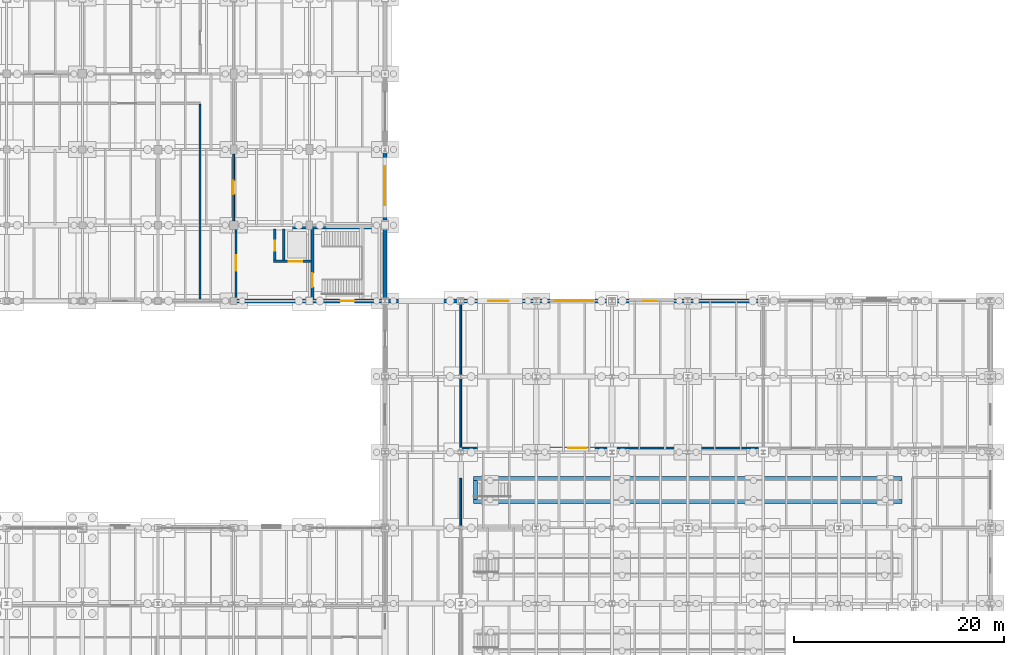
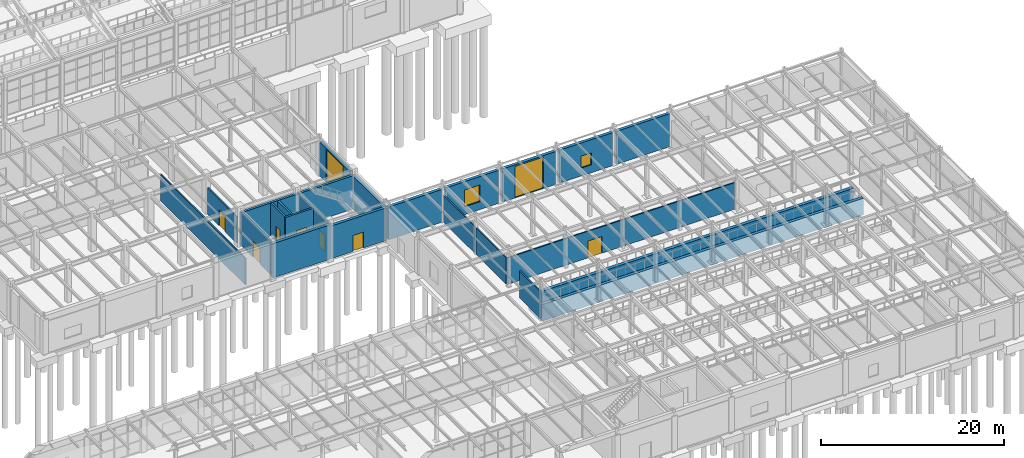
# One storey, part 272 of 293: 24 walls, 9 doors, 2 windows, 11 openings.
"""IFC4 building model written with IfcOpenShell, lengths in metres."""

from ifc_helpers import new_model, si_unit, direction, frame, frame_2d, origin, place, context, subcontext, project, spatial, rectangle, extrude, material, layer, layer_set, type_object, element, fill, save


model = new_model("IFC4")

# Units and contexts
model_context = context("Model", 3, precision=1e-05, world=origin(), true_north=direction((0.0, 1.0)))
body_context = subcontext(model_context, "Body", "Model", "MODEL_VIEW")
ifc_project = project(units=[si_unit("LENGTHUNIT", "METRE"), si_unit("AREAUNIT", "SQUARE_METRE"), si_unit("VOLUMEUNIT", "CUBIC_METRE"), si_unit("PLANEANGLEUNIT", "RADIAN"), si_unit("MASSUNIT", "GRAM", prefix="KILO")], contexts=[model_context])

# Site, building, storey
site_placement = place(None, origin())
site = spatial("IfcSite", under=ifc_project, at=site_placement, CompositionType="ELEMENT")
building_placement = place(site_placement, origin())
building = spatial("IfcBuilding", under=site, at=building_placement, Name="Kemerveld Promenade Tramway Depot", CompositionType="ELEMENT")
storey_placement = place(building_placement, origin())
storey = spatial("IfcBuildingStorey", under=building, at=storey_placement, Name="L00", CompositionType="ELEMENT", Elevation=0.0)

# Wall, opening, door
ifc_material_1 = material(Name="Concrete C40/50", Category="concrete")
ifc_layer_1 = layer(ifc_material_1, 0.25)
ifc_layer_set_1 = layer_set([ifc_layer_1], Name="WL-CORE-250")
wall_type_1 = type_object("IfcWallType", Name="WL-CORE-250", PredefinedType="SHEAR", material=ifc_layer_set_1)
wall_1_placement = place(storey_placement, frame((151.5, 50.580078125, 0.0), z_axis=(0.0, 0.0, 1.0), x_axis=(0.0, 1.0, 0.0)))
wall_1 = element("IfcWall", 1, at=wall_1_placement, inside=storey, type_object=wall_type_1, Name="WL-C6-L00-SDIV", PredefinedType="SHEAR", context=body_context, shape_type="SweptSolid", body=[
    extrude(rectangle(XDim=6.669921875, YDim=0.25, at=frame_2d((3.3349609375, 0.0))), origin(), (0.0, 0.0, 1.0), 4.449951171875),
])
opening_1_placement = place(wall_1_placement, frame((1.1201171875, 0.0, 0.0)))
opening_1 = element("IfcOpeningElement", 2, at=opening_1_placement, cuts=wall_1, Name="Opening D-577", PredefinedType="OPENING", context=body_context, shape_type="SweptSolid", body=[
    extrude(rectangle(XDim=1.35009765625, YDim=2.14990234375, at=frame_2d((0.675048828125, 1.074951171875))), frame((0.0, 0.135009765625, 0.0), z_axis=(0.0, -1.0, 0.0), x_axis=(1.0, 0.0, 0.0)), (0.0, 0.0, 1.0), 0.27001953125),
])
ifc_material_2 = material(Name="Galvanised steel fire stair door", Category="steel")
door_type_1 = type_object("IfcDoorType", Name="DR-FD120", OperationType="NOTDEFINED", PredefinedType="DOOR", material=ifc_material_2)
door_1_placement = place(opening_1_placement, origin())
door_1 = element("IfcDoor", 3, at=door_1_placement, inside=storey, type_object=door_type_1, Name="DR-C6-L00-STAIR", OperationType="SINGLE_SWING_LEFT", OverallHeight=2.14990234375, OverallWidth=1.35009765625, PredefinedType="DOOR", context=body_context, shape_type="SweptSolid", body=[
    extrude(rectangle(XDim=1.35009765625, YDim=2.14990234375, at=frame_2d((0.675048828125, 1.074951171875))), frame((0.0, 0.02490234375, 0.0), z_axis=(0.0, -1.0, 0.0), x_axis=(1.0, 0.0, 0.0)), (0.0, 0.0, 1.0), 0.050048828125),
])
fill(opening_1, door_1)

wall_2_placement = place(storey_placement, frame((147.794921875, 54.159912109375, 0.0), z_axis=(0.0, 0.0, 1.0), x_axis=(1.0, 0.0, 0.0)))
wall_2 = element("IfcWall", 4, at=wall_2_placement, inside=storey, type_object=wall_type_1, Name="WL-C6-L00-LSHS", PredefinedType="SHEAR", context=body_context, shape_type="SweptSolid", body=[
    extrude(rectangle(XDim=3.580078125, YDim=0.25, at=frame_2d((1.7900390625, 0.0))), origin(), (0.0, 0.0, 1.0), 4.449951171875),
])
opening_2_placement = place(wall_2_placement, frame((1.425048828125, 0.0, 0.0)))
opening_2 = element("IfcOpeningElement", 5, at=opening_2_placement, cuts=wall_2, Name="Opening LD-578", PredefinedType="OPENING", context=body_context, shape_type="SweptSolid", body=[
    extrude(rectangle(XDim=1.300048828125, YDim=2.199951171875, at=frame_2d((0.64990234375, 1.10009765625))), frame((0.0, 0.135009765625, 0.0), z_axis=(0.0, -1.0, 0.0), x_axis=(1.0, 0.0, 0.0)), (0.0, 0.0, 1.0), 0.27001953125),
])
ifc_material_3 = material(Name="Heavy-duty goods lift sliding landing door")
door_type_2 = type_object("IfcDoorType", Name="DR-LD02", OperationType="SLIDING_TO_LEFT", PredefinedType="DOOR", material=ifc_material_3)
door_2_placement = place(opening_2_placement, origin())
door_2 = element("IfcDoor", 6, at=door_2_placement, inside=storey, type_object=door_type_2, Name="DR-C6-L00-LIFT", OperationType="SLIDING_TO_LEFT", OverallHeight=2.199951171875, OverallWidth=1.300048828125, PredefinedType="DOOR", context=body_context, shape_type="SweptSolid", body=[
    extrude(rectangle(XDim=1.300048828125, YDim=2.199951171875, at=frame_2d((0.64990234375, 1.10009765625))), frame((0.0, 0.02490234375, 0.0), z_axis=(0.0, -1.0, 0.0), x_axis=(1.0, 0.0, 0.0)), (0.0, 0.0, 1.0), 0.050048828125),
])
fill(opening_2, door_2)

# Wall
wall_3_placement = place(storey_placement, frame((148.75, 54.284912109375, 0.0), z_axis=(0.0, 0.0, 1.0), x_axis=(0.0, 1.0, 0.0)))
element("IfcWall", 7, at=wall_3_placement, inside=storey, type_object=wall_type_1, Name="WL-C6-L00-LSHM", PredefinedType="SHEAR", context=body_context, shape_type="SweptSolid", body=[
    extrude(rectangle(XDim=2.965087890625, YDim=0.25, at=frame_2d((1.482421875, 0.0))), origin(), (0.0, 0.0, 1.0), 4.449951171875),
])

# Wall, opening, door
wall_4_placement = place(storey_placement, frame((147.919921875, 54.284912109375, 0.0), z_axis=(0.0, 0.0, 1.0), x_axis=(0.0, 1.0, 0.0)))
wall_4 = element("IfcWall", 8, at=wall_4_placement, inside=storey, type_object=wall_type_1, Name="WL-C6-L00-LSHE", PredefinedType="SHEAR", context=body_context, shape_type="SweptSolid", body=[
    extrude(rectangle(XDim=2.965087890625, YDim=0.25, at=frame_2d((1.482421875, 0.0))), origin(), (0.0, 0.0, 1.0), 4.449951171875),
])
opening_3_placement = place(wall_4_placement, frame((0.89990234375, 0.0, 0.0)))
opening_3 = element("IfcOpeningElement", 9, at=opening_3_placement, cuts=wall_4, Name="Opening D-579", PredefinedType="OPENING", context=body_context, shape_type="SweptSolid", body=[
    extrude(rectangle(XDim=0.919921875, YDim=2.050048828125, at=frame_2d((0.4599609375, 1.02490234375))), frame((0.0, 0.135009765625, 0.0), z_axis=(0.0, -1.0, 0.0), x_axis=(1.0, 0.0, 0.0)), (0.0, 0.0, 1.0), 0.27001953125),
])
ifc_material_4 = material(Name="Steel riser shaft access fire door", Category="steel")
door_type_3 = type_object("IfcDoorType", Name="DR-RSR01", OperationType="NOTDEFINED", PredefinedType="DOOR", material=ifc_material_4)
door_3_placement = place(opening_3_placement, origin())
door_3 = element("IfcDoor", 10, at=door_3_placement, inside=storey, type_object=door_type_3, Name="DR-C6-L00-RISER", OperationType="SINGLE_SWING_RIGHT", OverallHeight=2.050048828125, OverallWidth=0.919921875, PredefinedType="DOOR", context=body_context, shape_type="SweptSolid", body=[
    extrude(rectangle(XDim=0.919921875, YDim=2.050048828125, at=frame_2d((0.4599609375, 1.02490234375))), frame((0.0, 0.02490234375, 0.0), z_axis=(0.0, -1.0, 0.0), x_axis=(1.0, 0.0, 0.0)), (0.0, 0.0, 1.0), 0.050048828125),
])
fill(opening_3, door_3)

# Wall
ifc_layer_2 = layer(ifc_material_1, 0.300048828125)
ifc_layer_set_2 = layer_set([ifc_layer_2], Name="WL-CORE-300")
wall_type_2 = type_object("IfcWallType", Name="WL-CORE-300", PredefinedType="SHEAR", material=ifc_layer_set_2)
wall_5_placement = place(storey_placement, frame((144.0, 57.39990234375, 0.0), z_axis=(0.0, 0.0, 1.0), x_axis=(1.0, 0.0, 0.0)))
element("IfcWall", 11, at=wall_5_placement, inside=storey, type_object=wall_type_2, Name="WL-C6-L00-N", PredefinedType="SHEAR", context=body_context, shape_type="SweptSolid", body=[
    extrude(rectangle(XDim=14.22998046875, YDim=0.300048828125, at=frame_2d((7.114990234375, 0.0))), origin(), (0.0, 0.0, 1.0), 4.449951171875),
])

# Wall, opening, door
ifc_material_5 = material(Name="Harare granite ashlar and clay brick cavity masonry", Category="masonry")
ifc_layer_3 = layer(ifc_material_5, 0.3798828125)
ifc_layer_set_3 = layer_set([ifc_layer_3], Name="WL-EXT-380")
wall_type_3 = type_object("IfcWallType", Name="WL-EXT-380", PredefinedType="SOLIDWALL", material=ifc_layer_set_3)
wall_6_placement = place(storey_placement, frame((158.39990234375, 64.641845703125, 0.0), z_axis=(0.0, 0.0, 1.0), x_axis=(0.0, -1.0, 0.0)))
wall_6 = element("IfcWall", 12, at=wall_6_placement, inside=storey, type_object=wall_type_3, Name="WL-L00-V3E-03", PredefinedType="SOLIDWALL", context=body_context, shape_type="SweptSolid", body=[
    extrude(rectangle(XDim=6.546875, YDim=0.3798828125, at=frame_2d((3.2734375, 0.0))), origin(), (0.0, 0.0, 1.0), 4.5234375),
])
opening_4_placement = place(wall_6_placement, frame((1.423095703125, 0.0, 0.0)))
opening_4 = element("IfcOpeningElement", 13, at=opening_4_placement, cuts=wall_6, Name="Opening D-137", PredefinedType="OPENING", context=body_context, shape_type="SweptSolid", body=[
    extrude(rectangle(XDim=3.699951171875, YDim=4.39990234375, at=frame_2d((1.85009765625, 2.199951171875))), frame((0.0, 0.199951171875, 0.0), z_axis=(0.0, -1.0, 0.0), x_axis=(1.0, 0.0, 0.0)), (0.0, 0.0, 1.0), 0.39990234375),
])
ifc_material_6 = material(Name="Corrosion-resistant aluminium high-speed wash shutter", Category="aluminium")
door_type_4 = type_object("IfcDoorType", Name="GT-WASH1", OperationType="ROLLINGUP", PredefinedType="GATE", material=ifc_material_6)
door_4_placement = place(opening_4_placement, origin())
door_4 = element("IfcDoor", 14, at=door_4_placement, inside=storey, type_object=door_type_4, Name="GT-WASH-E1", OperationType="ROLLINGUP", OverallHeight=4.39990234375, OverallWidth=3.699951171875, PredefinedType="GATE", context=body_context, shape_type="SweptSolid", body=[
    extrude(rectangle(XDim=3.699951171875, YDim=4.39990234375, at=frame_2d((1.85009765625, 2.199951171875))), frame((0.0, 0.02490234375, 0.0), z_axis=(0.0, -1.0, 0.0), x_axis=(1.0, 0.0, 0.0)), (0.0, 0.0, 1.0), 0.050048828125),
])
fill(opening_4, door_4)

# Wall
wall_7_placement = place(storey_placement, frame((158.617431640625, 50.39990234375, 0.0), z_axis=(0.0, 0.0, 1.0), x_axis=(1.0, 0.0, 0.0)))
element("IfcWall", 15, at=wall_7_placement, inside=storey, type_object=wall_type_3, Name="WL-L00-V2N-01", PredefinedType="SOLIDWALL", context=body_context, shape_type="SweptSolid", body=[
    extrude(rectangle(XDim=6.76513671875, YDim=0.3798828125, at=frame_2d((3.382568359375, 0.0))), origin(), (0.0, 0.0, 1.0), 4.37255859375),
])

# Wall, opening, window
wall_8_placement = place(storey_placement, frame((165.8173828125, 50.39990234375, 0.0), z_axis=(0.0, 0.0, 1.0), x_axis=(1.0, 0.0, 0.0)))
wall_8 = element("IfcWall", 16, at=wall_8_placement, inside=storey, type_object=wall_type_3, Name="WL-L00-V2N-02", PredefinedType="SOLIDWALL", context=body_context, shape_type="SweptSolid", body=[
    extrude(rectangle(XDim=6.76513671875, YDim=0.3798828125, at=frame_2d((3.382568359375, 0.0))), origin(), (0.0, 0.0, 1.0), 4.41259765625),
])
opening_5_placement = place(wall_8_placement, frame((2.407958984375, 0.0, 1.050048828125)))
opening_5 = element("IfcOpeningElement", 17, at=opening_5_placement, cuts=wall_8, Name="Opening W-128", PredefinedType="OPENING", context=body_context, shape_type="SweptSolid", body=[
    extrude(rectangle(XDim=1.949951171875, YDim=2.25, at=frame_2d((0.97509765625, 1.125))), frame((0.0, 0.199951171875, 0.0), z_axis=(0.0, -1.0, 0.0), x_axis=(1.0, 0.0, 0.0)), (0.0, 0.0, 1.0), 0.39990234375),
])
ifc_material_7 = material(Name="Bronze anodised aluminium and low-e glass", Category="aluminium")
window_type_1 = type_object("IfcWindowType", Name="WN-15", PartitioningType="SINGLE_PANEL", PredefinedType="WINDOW", material=ifc_material_7)
window_1_placement = place(opening_5_placement, origin())
window_1 = element("IfcWindow", 18, at=window_1_placement, inside=storey, type_object=window_type_1, Name="WN-L00-V2N-02", OverallHeight=2.25, OverallWidth=1.949951171875, PartitioningType="SINGLE_PANEL", PredefinedType="WINDOW", context=body_context, shape_type="SweptSolid", body=[
    extrude(rectangle(XDim=1.949951171875, YDim=2.25, at=frame_2d((0.97509765625, 1.125))), frame((0.0, 0.030029296875, 0.0), z_axis=(0.0, -1.0, 0.0), x_axis=(1.0, 0.0, 0.0)), (0.0, 0.0, 1.0), 0.06005859375),
])
fill(opening_5, window_1)

# Wall, opening, door
wall_9_placement = place(storey_placement, frame((173.017333984375, 50.39990234375, 0.0), z_axis=(0.0, 0.0, 1.0), x_axis=(1.0, 0.0, 0.0)))
wall_9 = element("IfcWall", 19, at=wall_9_placement, inside=storey, type_object=wall_type_3, Name="WL-L00-V2N-03", PredefinedType="SOLIDWALL", context=body_context, shape_type="SweptSolid", body=[
    extrude(rectangle(XDim=6.765380859375, YDim=0.3798828125, at=frame_2d((3.3828125, 0.0))), origin(), (0.0, 0.0, 1.0), 4.41259765625),
])
opening_6_placement = place(wall_9_placement, frame((1.5830078125, 0.0, 0.0)))
opening_6 = element("IfcOpeningElement", 20, at=opening_6_placement, cuts=wall_9, Name="Opening D-143", PredefinedType="OPENING", context=body_context, shape_type="SweptSolid", body=[
    extrude(rectangle(XDim=3.60009765625, YDim=4.199951171875, at=frame_2d((1.800048828125, 2.10009765625))), frame((0.0, 0.199951171875, 0.0), z_axis=(0.0, -1.0, 0.0), x_axis=(1.0, 0.0, 0.0)), (0.0, 0.0, 1.0), 0.39990234375),
])
ifc_material_8 = material(Name="Acoustic insulated steel workshop shutter", Category="steel")
door_type_5 = type_object("IfcDoorType", Name="GT-WORK2", OperationType="ROLLINGUP", PredefinedType="GATE", material=ifc_material_8)
door_5_placement = place(opening_6_placement, origin())
door_5 = element("IfcDoor", 21, at=door_5_placement, inside=storey, type_object=door_type_5, Name="GT-V2-N1", OperationType="ROLLINGUP", OverallHeight=4.199951171875, OverallWidth=3.60009765625, PredefinedType="GATE", context=body_context, shape_type="SweptSolid", body=[
    extrude(rectangle(XDim=3.60009765625, YDim=4.199951171875, at=frame_2d((1.800048828125, 2.10009765625))), frame((0.0, 0.02490234375, 0.0), z_axis=(0.0, -1.0, 0.0), x_axis=(1.0, 0.0, 0.0)), (0.0, 0.0, 1.0), 0.050048828125),
])
fill(opening_6, door_5)

# Wall, opening, window
wall_10_placement = place(storey_placement, frame((180.21728515625, 50.39990234375, 0.0), z_axis=(0.0, 0.0, 1.0), x_axis=(1.0, 0.0, 0.0)))
wall_10 = element("IfcWall", 22, at=wall_10_placement, inside=storey, type_object=wall_type_3, Name="WL-L00-V2N-04", PredefinedType="SOLIDWALL", context=body_context, shape_type="SweptSolid", body=[
    extrude(rectangle(XDim=6.765380859375, YDim=0.3798828125, at=frame_2d((3.3828125, 0.0))), origin(), (0.0, 0.0, 1.0), 4.41259765625),
])
opening_7_placement = place(wall_10_placement, frame((2.73291015625, 0.0, 1.050048828125)))
opening_7 = element("IfcOpeningElement", 23, at=opening_7_placement, cuts=wall_10, Name="Opening W-129", PredefinedType="OPENING", context=body_context, shape_type="SweptSolid", body=[
    extrude(rectangle(XDim=1.300048828125, YDim=1.60009765625, at=frame_2d((0.64990234375, 0.800048828125))), frame((0.0, 0.199951171875, 0.0), z_axis=(0.0, -1.0, 0.0), x_axis=(1.0, 0.0, 0.0)), (0.0, 0.0, 1.0), 0.39990234375),
])
window_type_2 = type_object("IfcWindowType", Name="WN-25", PartitioningType="SINGLE_PANEL", PredefinedType="WINDOW", material=ifc_material_7)
window_2_placement = place(opening_7_placement, origin())
window_2 = element("IfcWindow", 24, at=window_2_placement, inside=storey, type_object=window_type_2, Name="WN-L00-V2N-04", OverallHeight=1.60009765625, OverallWidth=1.300048828125, PartitioningType="SINGLE_PANEL", PredefinedType="WINDOW", context=body_context, shape_type="SweptSolid", body=[
    extrude(rectangle(XDim=1.300048828125, YDim=1.60009765625, at=frame_2d((0.64990234375, 0.800048828125))), frame((0.0, 0.030029296875, 0.0), z_axis=(0.0, -1.0, 0.0), x_axis=(1.0, 0.0, 0.0)), (0.0, 0.0, 1.0), 0.06005859375),
])
fill(opening_7, window_2)

# Walls
wall_11_placement = place(storey_placement, frame((187.41748046875, 50.39990234375, 0.0), z_axis=(0.0, 0.0, 1.0), x_axis=(1.0, 0.0, 0.0)))
element("IfcWall", 25, at=wall_11_placement, inside=storey, type_object=wall_type_3, Name="WL-L00-V2N-05", PredefinedType="SOLIDWALL", context=body_context, shape_type="SweptSolid", body=[
    extrude(rectangle(XDim=6.76513671875, YDim=0.3798828125, at=frame_2d((3.382568359375, 0.0))), origin(), (0.0, 0.0, 1.0), 4.41259765625),
])
ifc_layer_4 = layer(ifc_material_1, 0.360107421875)
ifc_layer_set_4 = layer_set([ifc_layer_4], Name="WL-EXT-CORE")
wall_type_4 = type_object("IfcWallType", Name="WL-EXT-CORE", PredefinedType="SHEAR", material=ifc_layer_set_4)
wall_12_placement = place(storey_placement, frame((158.39990234375, 57.60009765625, 0.0), z_axis=(0.0, 0.0, 1.0), x_axis=(0.0, -1.0, 0.0)))
element("IfcWall", 26, at=wall_12_placement, inside=storey, type_object=wall_type_4, Name="WL-L00-V3E-04", PredefinedType="SHEAR", context=body_context, shape_type="SweptSolid", body=[
    extrude(rectangle(XDim=7.2001953125, YDim=0.360107421875, at=frame_2d((3.60009765625, 0.0))), origin(), (0.0, 0.0, 1.0), 4.37255859375),
])

# Wall, opening, door
wall_13_placement = place(storey_placement, frame((158.39990234375, 50.39990234375, 0.0), z_axis=(0.0, 0.0, 1.0), x_axis=(-1.0, 0.0, 0.0)))
wall_13 = element("IfcWall", 27, at=wall_13_placement, inside=storey, type_object=wall_type_4, Name="WL-L00-V3S-01", PredefinedType="SHEAR", context=body_context, shape_type="SweptSolid", body=[
    extrude(rectangle(XDim=7.199951171875, YDim=0.360107421875, at=frame_2d((3.60009765625, 0.0))), origin(), (0.0, 0.0, 1.0), 4.37255859375),
])
opening_8_placement = place(wall_13_placement, frame((2.925048828125, 0.0, 0.0)))
opening_8 = element("IfcOpeningElement", 28, at=opening_8_placement, cuts=wall_13, Name="Opening D-133", PredefinedType="OPENING", context=body_context, shape_type="SweptSolid", body=[
    extrude(rectangle(XDim=1.35009765625, YDim=2.14990234375, at=frame_2d((0.675048828125, 1.074951171875))), frame((0.0, 0.18994140625, 0.0), z_axis=(0.0, -1.0, 0.0), x_axis=(1.0, 0.0, 0.0)), (0.0, 0.0, 1.0), 0.380126953125),
])
ifc_material_9 = material(Name="Galvanised painted steel fire-exit door", Category="steel")
door_type_6 = type_object("IfcDoorType", Name="DR-EX05", OperationType="NOTDEFINED", PredefinedType="DOOR", material=ifc_material_9)
door_6_placement = place(opening_8_placement, origin())
door_6 = element("IfcDoor", 29, at=door_6_placement, inside=storey, type_object=door_type_6, Name="EX-06", OperationType="SINGLE_SWING_LEFT", OverallHeight=2.14990234375, OverallWidth=1.35009765625, PredefinedType="DOOR", context=body_context, shape_type="SweptSolid", body=[
    extrude(rectangle(XDim=1.35009765625, YDim=2.14990234375, at=frame_2d((0.675048828125, 1.074951171875))), frame((0.0, 0.02490234375, 0.0), z_axis=(0.0, -1.0, 0.0), x_axis=(1.0, 0.0, 0.0)), (0.0, 0.0, 1.0), 0.050048828125),
])
fill(opening_8, door_6)

# Wall
wall_14_placement = place(storey_placement, frame((151.199951171875, 50.39990234375, 0.0), z_axis=(0.0, 0.0, 1.0), x_axis=(-1.0, 0.0, 0.0)))
element("IfcWall", 30, at=wall_14_placement, inside=storey, type_object=wall_type_4, Name="WL-L00-V3S-02", PredefinedType="SHEAR", context=body_context, shape_type="SweptSolid", body=[
    extrude(rectangle(XDim=7.199951171875, YDim=0.360107421875, at=frame_2d((3.60009765625, 0.0))), origin(), (0.0, 0.0, 1.0), 4.60009765625),
])

# Wall, opening, door
ifc_material_10 = material(Name="Concrete blockwork C35/45", Category="masonry")
ifc_layer_5 = layer(ifc_material_10, 0.199951171875)
ifc_layer_set_5 = layer_set([ifc_layer_5], Name="WL-LOB-200")
wall_type_5 = type_object("IfcWallType", Name="WL-LOB-200", PredefinedType="SOLIDWALL", material=ifc_layer_set_5)
wall_15_placement = place(storey_placement, frame((144.219970703125, 50.580078125, 0.0), z_axis=(0.0, 0.0, 1.0), x_axis=(0.0, 1.0, 0.0)))
wall_15 = element("IfcWall", 31, at=wall_15_placement, inside=storey, type_object=wall_type_5, Name="WL-C6-L00-LOB", PredefinedType="SOLIDWALL", context=body_context, shape_type="SweptSolid", body=[
    extrude(rectangle(XDim=6.669921875, YDim=0.199951171875, at=frame_2d((3.3349609375, 0.0))), origin(), (0.0, 0.0, 1.0), 4.449951171875),
])
opening_9_placement = place(wall_15_placement, frame((2.669921875, 0.0, 0.0)))
opening_9 = element("IfcOpeningElement", 32, at=opening_9_placement, cuts=wall_15, Name="Opening D-580", PredefinedType="OPENING", context=body_context, shape_type="SweptSolid", body=[
    extrude(rectangle(XDim=1.5, YDim=2.14990234375, at=frame_2d((0.75, 1.074951171875))), frame((0.0, 0.10986328125, 0.0), z_axis=(0.0, -1.0, 0.0), x_axis=(1.0, 0.0, 0.0)), (0.0, 0.0, 1.0), 0.219970703125),
])
ifc_material_11 = material(Name="Timber-faced acoustic fire lobby door", Category="wood")
door_type_7 = type_object("IfcDoorType", Name="DR-FD60A", OperationType="NOTDEFINED", PredefinedType="DOOR", material=ifc_material_11)
door_7_placement = place(opening_9_placement, origin())
door_7 = element("IfcDoor", 33, at=door_7_placement, inside=storey, type_object=door_type_7, Name="DR-C6-L00-LOBBY", OperationType="SINGLE_SWING_LEFT", OverallHeight=2.14990234375, OverallWidth=1.5, PredefinedType="DOOR", context=body_context, shape_type="SweptSolid", body=[
    extrude(rectangle(XDim=1.5, YDim=2.14990234375, at=frame_2d((0.75, 1.074951171875))), frame((0.0, 0.02490234375, 0.0), z_axis=(0.0, -1.0, 0.0), x_axis=(1.0, 0.0, 0.0)), (0.0, 0.0, 1.0), 0.050048828125),
])
fill(opening_9, door_7)

# Walls
ifc_layer_6 = layer(ifc_material_1, 0.39990234375)
ifc_layer_set_6 = layer_set([ifc_layer_6], Name="WL-PIT400")
wall_type_6 = type_object("IfcWallType", Name="WL-PIT400", PredefinedType="USERDEFINED", material=ifc_layer_set_6)
for number, where, z_axis, x_axis, name in (
    (34, (166.800048828125, 33.5, -2.199951171875), (0.0, 0.0, 1.0), (1.0, 0.0, 0.0), "WL-PIT-11-N"),
    (35, (166.800048828125, 31.300048828125, -2.199951171875), (0.0, 0.0, 1.0), (1.0, 0.0, 0.0), "WL-PIT-11-S"),
):
    element("IfcWall", number, at=place(storey_placement, frame(where, z_axis=z_axis, x_axis=x_axis)), inside=storey, type_object=wall_type_6, Name=name, ObjectType="RETAINING_WALL", PredefinedType="USERDEFINED", context=body_context, shape_type="SweptSolid", body=[
        extrude(rectangle(XDim=40.800048828125, YDim=0.39990234375, at=frame_2d((20.39990234375, 0.0))), origin(), (0.0, 0.0, 1.0), 2.199951171875),
    ])
wall_16_placement = place(storey_placement, frame((167.0, 31.5, -2.199951171875), z_axis=(0.0, 0.0, 1.0), x_axis=(0.0, 1.0, 0.0)))
element("IfcWall", 36, at=wall_16_placement, inside=storey, type_object=wall_type_6, Name="WL-PIT-11-W", ObjectType="RETAINING_WALL", PredefinedType="USERDEFINED", context=body_context, shape_type="SweptSolid", body=[
    extrude(rectangle(XDim=1.800048828125, YDim=0.39990234375, at=frame_2d((0.89990234375, 0.0))), origin(), (0.0, 0.0, 1.0), 2.199951171875),
])

# Wall, opening, door
ifc_material_12 = material(Name="Acoustic twin-stud gypsum partition")
ifc_layer_7 = layer(ifc_material_12, 0.159912109375)
ifc_layer_set_7 = layer_set([ifc_layer_7], Name="WL-PRT-160")
wall_type_7 = type_object("IfcWallType", Name="WL-PRT-160", PredefinedType="PARTITIONING", material=ifc_layer_set_7)
wall_17_placement = place(storey_placement, frame((165.60009765625, 36.39990234375, 0.0), z_axis=(0.0, 0.0, 1.0), x_axis=(1.0, 0.0, 0.0)))
wall_17 = element("IfcWall", 37, at=wall_17_placement, inside=storey, type_object=wall_type_7, Name="WL-PRT-RM-L00-V2-LATHE", PredefinedType="PARTITIONING", context=body_context, shape_type="SweptSolid", body=[
    extrude(rectangle(XDim=28.7998046875, YDim=0.159912109375, at=frame_2d((14.39990234375, 0.0))), origin(), (0.0, 0.0, 1.0), 3.550048828125),
])
opening_10_placement = place(wall_17_placement, frame((10.22412109375, 0.0, 0.0)))
opening_10 = element("IfcOpeningElement", 38, at=opening_10_placement, cuts=wall_17, Name="Opening D-593", PredefinedType="OPENING", context=body_context, shape_type="SweptSolid", body=[
    extrude(rectangle(XDim=1.75, YDim=2.25, at=frame_2d((0.875, 1.125))), frame((0.0, 0.08984375, 0.0), z_axis=(0.0, -1.0, 0.0), x_axis=(1.0, 0.0, 0.0)), (0.0, 0.0, 1.0), 0.179931640625),
])
ifc_material_13 = material(Name="Double workshop equipment door")
door_type_8 = type_object("IfcDoorType", Name="DR-INT06", OperationType="DOUBLE_SWING_LEFT", PredefinedType="DOOR", material=ifc_material_13)
door_8_placement = place(opening_10_placement, origin())
door_8 = element("IfcDoor", 39, at=door_8_placement, inside=storey, type_object=door_type_8, Name="DR-RM-RM-L00-V2-LATHE", OperationType="DOUBLE_SWING_LEFT", OverallHeight=2.25, OverallWidth=1.75, PredefinedType="DOOR", context=body_context, shape_type="SweptSolid", body=[
    extrude(rectangle(XDim=1.75, YDim=2.25, at=frame_2d((0.875, 1.125))), frame((0.0, 0.02490234375, 0.0), z_axis=(0.0, -1.0, 0.0), x_axis=(1.0, 0.0, 0.0)), (0.0, 0.0, 1.0), 0.050048828125),
])
fill(opening_10, door_8)

# Walls
wall_18_placement = place(storey_placement, frame((165.60009765625, 28.991943359375, 0.0), z_axis=(0.0, 0.0, 1.0), x_axis=(0.0, 1.0, 0.0)))
element("IfcWall", 40, at=wall_18_placement, inside=storey, type_object=wall_type_7, Name="WL-DIV-L00-005", PredefinedType="PARTITIONING", context=body_context, shape_type="SweptSolid", body=[
    extrude(rectangle(XDim=4.528076171875, YDim=0.159912109375, at=frame_2d((2.26416015625, 0.0))), origin(), (0.0, 0.0, 1.0), 3.550048828125),
])
wall_19_placement = place(storey_placement, frame((165.60009765625, 36.47998046875, 0.0), z_axis=(0.0, 0.0, 1.0), x_axis=(0.0, 1.0, 0.0)))
element("IfcWall", 41, at=wall_19_placement, inside=storey, type_object=wall_type_7, Name="WL-DIV-L00-011", PredefinedType="PARTITIONING", context=body_context, shape_type="SweptSolid", body=[
    extrude(rectangle(XDim=6.528076171875, YDim=0.159912109375, at=frame_2d((3.26416015625, 0.0))), origin(), (0.0, 0.0, 1.0), 3.550048828125),
])
wall_20_placement = place(storey_placement, frame((165.60009765625, 43.39306640625, 0.0), z_axis=(0.0, 0.0, 1.0), x_axis=(0.0, 1.0, 0.0)))
element("IfcWall", 42, at=wall_20_placement, inside=storey, type_object=wall_type_7, Name="WL-DIV-L00-012", PredefinedType="PARTITIONING", context=body_context, shape_type="SweptSolid", body=[
    extrude(rectangle(XDim=6.81396484375, YDim=0.159912109375, at=frame_2d((3.406982421875, 0.0))), origin(), (0.0, 0.0, 1.0), 3.550048828125),
])
wall_21_placement = place(storey_placement, frame((140.800048828125, 50.590087890625, 0.0), z_axis=(0.0, 0.0, 1.0), x_axis=(0.0, 1.0, 0.0)))
element("IfcWall", 43, at=wall_21_placement, inside=storey, type_object=wall_type_7, Name="WL-DIV-L00-016", PredefinedType="PARTITIONING", context=body_context, shape_type="SweptSolid", body=[
    extrude(rectangle(XDim=18.514892578125, YDim=0.159912109375, at=frame_2d((9.25732421875, 0.0))), origin(), (0.0, 0.0, 1.0), 3.550048828125),
])

# Wall, opening, door
ifc_material_14 = material(Name="Plant and substation fire partition")
ifc_layer_8 = layer(ifc_material_14, 0.18994140625)
ifc_layer_set_8 = layer_set([ifc_layer_8], Name="WL-PRT-190")
wall_type_8 = type_object("IfcWallType", Name="WL-PRT-190", PredefinedType="PARTITIONING", material=ifc_layer_set_8)
wall_22_placement = place(storey_placement, frame((144.0, 58.001953125, 0.0), z_axis=(0.0, 0.0, 1.0), x_axis=(0.0, 1.0, 0.0)))
wall_22 = element("IfcWall", 44, at=wall_22_placement, inside=storey, type_object=wall_type_8, Name="WL-PRT-RM-L00-V3-TPSS", PredefinedType="PARTITIONING", context=body_context, shape_type="SweptSolid", body=[
    extrude(rectangle(XDim=6.37109375, YDim=0.18994140625, at=frame_2d((3.185546875, 0.0))), origin(), (0.0, 0.0, 1.0), 3.550048828125),
])
opening_11_placement = place(wall_22_placement, frame((2.56103515625, 0.0, 0.0)))
opening_11 = element("IfcOpeningElement", 45, at=opening_11_placement, cuts=wall_22, Name="Opening D-600", PredefinedType="OPENING", context=body_context, shape_type="SweptSolid", body=[
    extrude(rectangle(XDim=1.25, YDim=2.14990234375, at=frame_2d((0.625, 1.074951171875))), frame((0.0, 0.10498046875, 0.0), z_axis=(0.0, -1.0, 0.0), x_axis=(1.0, 0.0, 0.0)), (0.0, 0.0, 1.0), 0.2099609375),
])
ifc_material_15 = material(Name="Steel plant room fire door", Category="steel")
door_type_9 = type_object("IfcDoorType", Name="DR-FD60C", OperationType="NOTDEFINED", PredefinedType="DOOR", material=ifc_material_15)
door_9_placement = place(opening_11_placement, origin())
door_9 = element("IfcDoor", 46, at=door_9_placement, inside=storey, type_object=door_type_9, Name="DR-RM-RM-L00-V3-TPSS", OperationType="SINGLE_SWING_RIGHT", OverallHeight=2.14990234375, OverallWidth=1.25, PredefinedType="DOOR", context=body_context, shape_type="SweptSolid", body=[
    extrude(rectangle(XDim=1.25, YDim=2.14990234375, at=frame_2d((0.625, 1.074951171875))), frame((0.0, 0.02490234375, 0.0), z_axis=(0.0, -1.0, 0.0), x_axis=(1.0, 0.0, 0.0)), (0.0, 0.0, 1.0), 0.050048828125),
])
fill(opening_11, door_9)

save(model, "model.ifc")
